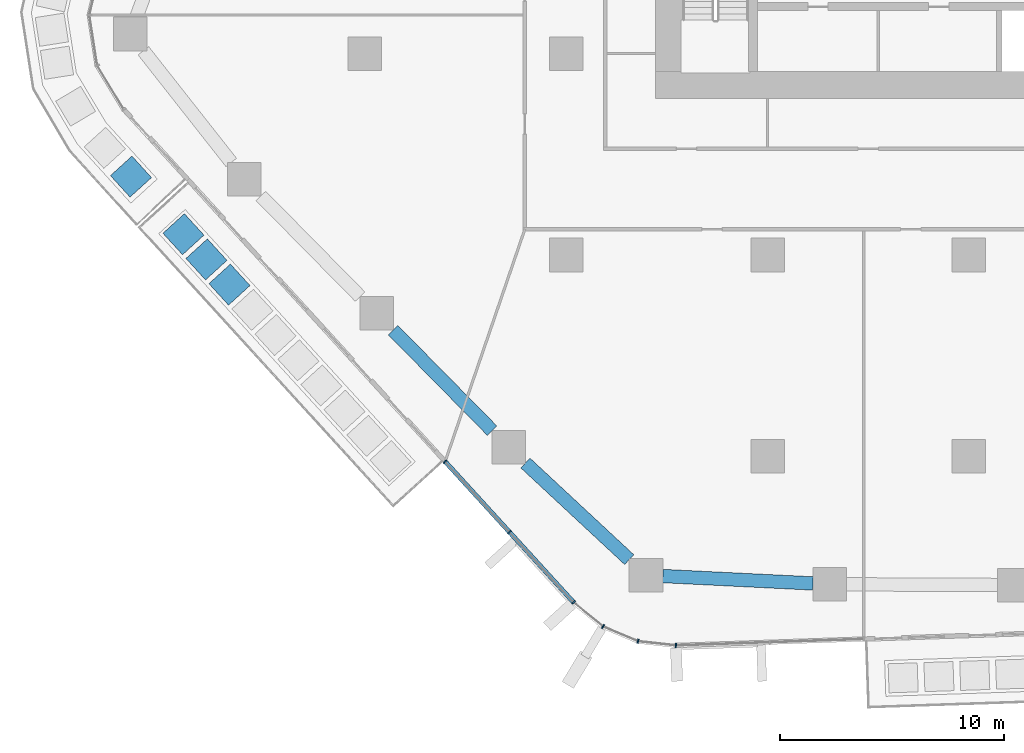
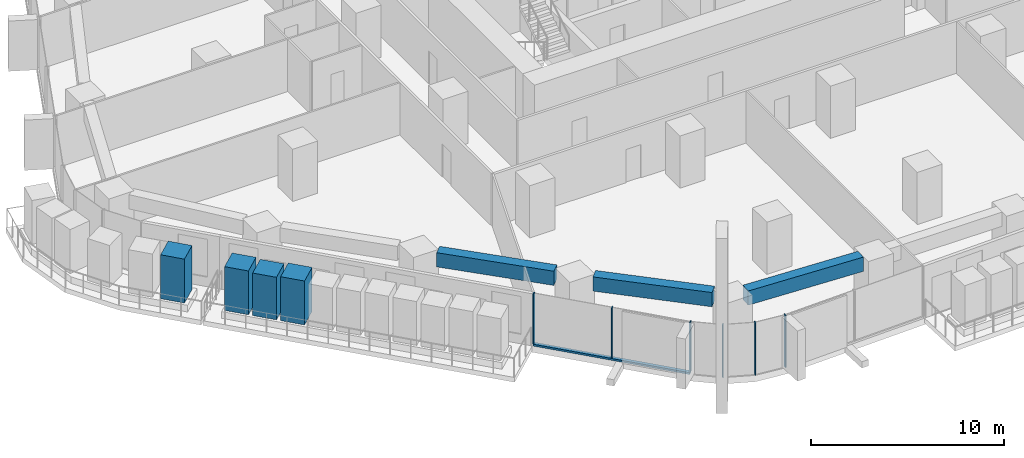
# One storey, part 2 of 26: 11 members, 3 beams, 2 elements without a shape of their own.
"""IFC4 building model written with IfcOpenShell, lengths in metres."""

from ifc_helpers import new_model, si_unit, direction, frame, origin, origin_2d, place, context, subcontext, project, spatial, rectangle, extrude, material, layer, layer_set, material_profile, profile_set, type_object, element, aggregate, save


model = new_model("IFC4")

# Units and contexts
model_context = context("Model", 3, precision=1e-05, world=origin(), true_north=direction((0.0, 1.0)))
body_context = subcontext(model_context, "Body", "Model", "MODEL_VIEW")
ifc_project = project(units=[si_unit("LENGTHUNIT", "METRE"), si_unit("AREAUNIT", "SQUARE_METRE"), si_unit("VOLUMEUNIT", "CUBIC_METRE"), si_unit("PLANEANGLEUNIT", "RADIAN"), si_unit("MASSUNIT", "GRAM", prefix="KILO")], contexts=[model_context])

# Site, building, storey
site_placement = place(None, origin())
site = spatial("IfcSite", under=ifc_project, at=site_placement, CompositionType="ELEMENT")
building_placement = place(site_placement, origin())
building = spatial("IfcBuilding", under=site, at=building_placement, Name="Dongbaek Canopy Tower", CompositionType="ELEMENT")
storey_placement = place(building_placement, frame((0.0, 0.0, 66.199951171875)))
storey = spatial("IfcBuildingStorey", under=building, at=storey_placement, Name="L12", CompositionType="ELEMENT", Elevation=66.199951171875)

# Curtain wall, members
ifc_material_1 = material(Name="Aluminium 6063-T6 pale anodised", Category="aluminium")
ifc_layer = layer(ifc_material_1, 0.199951171875)
ifc_layer_set = layer_set([ifc_layer], Name="CW-1 unitised tower curtain wall")
curtain_wall_type = type_object("IfcCurtainWallType", Name="CW-1 unitised tower curtain wall", PredefinedType="NOTDEFINED", material=ifc_layer_set)
curtain_wall_1_placement = place(storey_placement, origin())
curtain_wall_1 = element("IfcCurtainWall", 1, at=curtain_wall_1_placement, inside=storey, type_object=curtain_wall_type, Name="CW-1 curtain wall F3.1", PredefinedType="NOTDEFINED")
ifc_material_2 = material(Name="Aluminium 6063-T6 pale anodised", Category="aluminium")
ifc_material_profile_1 = material_profile(ifc_material_2, rectangle(XDim=0.199951171875, YDim=0.06005859375, at=origin_2d()), Name="CW-1 mullion 60 x 200")
ifc_profile_set_1 = profile_set([ifc_material_profile_1], Name="Aluminium 6063-T6 pale anodised")
member_type_1 = type_object("IfcMemberType", Name="CW-1 mullion 60 x 200", PredefinedType="MULLION", material=ifc_profile_set_1)
member_1_placement = place(storey_placement, frame((-23.41162109375, -27.234130859375, 0.1201171875), z_axis=(0.0, 0.0, 1.0), x_axis=(-0.738720005108, -0.674012428708, 0.0)))
member_1 = element("IfcMember", 2, at=member_1_placement, type_object=member_type_1, Name="CW-1 mullion F3.1.1", PredefinedType="MULLION", context=body_context, shape_type="SweptSolid", body=[
    extrude(rectangle(XDim=0.199951171875, YDim=0.06005859375, at=origin_2d()), origin(), (0.0, 0.0, 1.0), 3.179931640625),
])
member_2_placement = place(storey_placement, frame((-20.5380859375, -30.3837890625, 0.1201171875), z_axis=(0.0, 0.0, 1.0), x_axis=(-0.738720005108, -0.674012428708, 0.0)))
member_2 = element("IfcMember", 3, at=member_2_placement, type_object=member_type_1, Name="CW-1 mullion F3.1.2", PredefinedType="MULLION", context=body_context, shape_type="SweptSolid", body=[
    extrude(rectangle(XDim=0.199951171875, YDim=0.06005859375, at=origin_2d()), origin(), (0.0, 0.0, 1.0), 3.179931640625),
])
member_3_placement = place(storey_placement, frame((-17.669189453125, -33.52783203125, 0.1201171875), z_axis=(0.0, 0.0, 1.0), x_axis=(-0.738720005108, -0.674012428708, 0.0)))
member_3 = element("IfcMember", 4, at=member_3_placement, type_object=member_type_1, Name="CW-1 mullion F3.1.3", PredefinedType="MULLION", context=body_context, shape_type="SweptSolid", body=[
    extrude(rectangle(XDim=0.199951171875, YDim=0.06005859375, at=origin_2d()), origin(), (0.0, 0.0, 1.0), 3.179931640625),
])

curtain_wall_2_placement = place(storey_placement, origin())
curtain_wall_2 = element("IfcCurtainWall", 5, at=curtain_wall_2_placement, inside=storey, type_object=curtain_wall_type, Name="CW-1 curtain wall K4.1", PredefinedType="NOTDEFINED")
member_4_placement = place(storey_placement, frame((-16.35302734375, -34.607421875, 0.0), z_axis=(0.0, 0.0, 1.0), x_axis=(-0.516535377542, -0.856265848757, 0.0)))
member_4 = element("IfcMember", 6, at=member_4_placement, type_object=member_type_1, Name="CW-1 mullion K4.1.2", PredefinedType="MULLION", context=body_context, shape_type="SweptSolid", body=[
    extrude(rectangle(XDim=0.199951171875, YDim=0.06005859375, at=origin_2d()), origin(), (0.0, 0.0, 1.0), 3.300048828125),
])
member_5_placement = place(storey_placement, frame((-14.790771484375, -35.265380859375, 0.0), z_axis=(0.0, 0.0, 1.0), x_axis=(-0.251694061248, -0.967806850323, 0.0)))
member_5 = element("IfcMember", 7, at=member_5_placement, type_object=member_type_1, Name="CW-1 mullion K4.1.3", PredefinedType="MULLION", context=body_context, shape_type="SweptSolid", body=[
    extrude(rectangle(XDim=0.199951171875, YDim=0.06005859375, at=origin_2d()), origin(), (0.0, 0.0, 1.0), 3.300048828125),
])
member_6_placement = place(storey_placement, frame((-13.0986328125, -35.452880859375, 0.0), z_axis=(0.0, 0.0, 1.0), x_axis=(-0.110022324221, -0.993929116272, 0.0)))
member_6 = element("IfcMember", 8, at=member_6_placement, type_object=member_type_1, Name="CW-1 mullion K4.1.4", PredefinedType="MULLION", context=body_context, shape_type="SweptSolid", body=[
    extrude(rectangle(XDim=0.199951171875, YDim=0.06005859375, at=origin_2d()), origin(), (0.0, 0.0, 1.0), 3.300048828125),
])
aggregate(curtain_wall_2, [member_4, member_5, member_6])

# Member
ifc_material_3 = material(Name="Aluminium 6063-T6 pale anodised", Category="aluminium")
ifc_material_profile_2 = material_profile(ifc_material_3, rectangle(XDim=0.199951171875, YDim=0.1201171875, at=origin_2d()), Name="CW-1 transom 120 x 200")
ifc_profile_set_2 = profile_set([ifc_material_profile_2], Name="Aluminium 6063-T6 pale anodised")
member_type_2 = type_object("IfcMemberType", Name="CW-1 transom 120 x 200", PredefinedType="USERDEFINED", material=ifc_profile_set_2)
member_7_placement = place(storey_placement, frame((-23.41162109375, -27.234130859375, 0.06005859375), z_axis=(0.674013843629, -0.738718714124, 0.0), x_axis=(0.738718714124, 0.674013843629, 0.0)))
member_7 = element("IfcMember", 9, at=member_7_placement, type_object=member_type_2, Name="CW-1 transom F3.1.1", ObjectType="TRANSOM", PredefinedType="USERDEFINED", context=body_context, shape_type="SweptSolid", body=[
    extrude(rectangle(XDim=0.199951171875, YDim=0.1201171875, at=origin_2d()), origin(), (0.0, 0.0, 1.0), 8.519775390625),
])

aggregate(curtain_wall_1, [member_1, member_2, member_3, member_7])

# Beams
ifc_material_4 = material(Name="Concrete C80", Category="concrete")
ifc_material_profile_3 = material_profile(ifc_material_4, rectangle(XDim=0.60009765625, YDim=0.89990234375, at=origin_2d()), Name="RC EDGE BEAM 600x900 C80")
ifc_profile_set_3 = profile_set([ifc_material_profile_3], Name="Concrete C80")
beam_type = type_object("IfcBeamType", Name="RC EDGE BEAM 600x900 C80", PredefinedType="BEAM", material=ifc_profile_set_3)
beam_1_placement = place(storey_placement, frame((-6.971923828125, -32.68017578125, 2.85009765625), z_axis=(-0.998791258722, 0.049153041612, 0.0), x_axis=(-0.049153041612, -0.998791258722, 0.0)))
element("IfcBeam", 10, at=beam_1_placement, inside=storey, type_object=beam_type, Name="EDGEBEAM:L12:03", PredefinedType="BEAM", context=body_context, shape_type="SweptSolid", body=[
    extrude(rectangle(XDim=0.60009765625, YDim=0.89990234375, at=origin_2d()), origin(), (0.0, 0.0, 1.0), 6.72021484375),
])
beam_2_placement = place(storey_placement, frame((-15.18408203125, -31.615478515625, 2.85009765625), z_axis=(-0.732207291567, 0.681081846899, 0.0), x_axis=(-0.681081846899, -0.732207291567, 0.0)))
element("IfcBeam", 11, at=beam_2_placement, inside=storey, type_object=beam_type, Name="EDGEBEAM:L12:04", PredefinedType="BEAM", context=body_context, shape_type="SweptSolid", body=[
    extrude(rectangle(XDim=0.60009765625, YDim=0.89990234375, at=origin_2d()), origin(), (0.0, 0.0, 1.0), 6.3369140625),
])
beam_3_placement = place(storey_placement, frame((-21.312744140625, -25.85205078125, 2.85009765625), z_axis=(-0.701726082417, 0.712446843811, 0.0), x_axis=(-0.712446843811, -0.701726082417, 0.0)))
element("IfcBeam", 12, at=beam_3_placement, inside=storey, type_object=beam_type, Name="EDGEBEAM:L12:05", PredefinedType="BEAM", context=body_context, shape_type="SweptSolid", body=[
    extrude(rectangle(XDim=0.60009765625, YDim=0.89990234375, at=origin_2d()), origin(), (0.0, 0.0, 1.0), 6.30810546875),
])

# Members
ifc_material_5 = material(Name="Concrete C40/50 planter mass with planting", Category="concrete")
ifc_material_profile_4 = material_profile(ifc_material_5, rectangle(XDim=1.300048828125, YDim=1.300048828125, at=origin_2d()), Name="Terrace PLANTER shrub mass 1300 x 1300")
ifc_profile_set_4 = profile_set([ifc_material_profile_4], Name="Concrete C40/50 planter mass with planting")
member_type_3 = type_object("IfcMemberType", Name="Terrace PLANTER shrub mass 1300 x 1300", PredefinedType="USERDEFINED", material=ifc_profile_set_4)
member_8_placement = place(storey_placement, frame((-35.107421875, -17.0712890625, 0.420166015625), z_axis=(0.0, 0.0, 1.0), x_axis=(-0.738720005108, -0.674012428708, 0.0)))
element("IfcMember", 13, at=member_8_placement, inside=storey, type_object=member_type_3, Name="Planter shrubs L12 3.1", ObjectType="PLANTER", PredefinedType="USERDEFINED", context=body_context, shape_type="SweptSolid", body=[
    extrude(rectangle(XDim=1.300048828125, YDim=1.300048828125, at=origin_2d()), origin(), (0.0, 0.0, 1.0), 2.769775390625),
])
member_9_placement = place(storey_placement, frame((-34.079345703125, -18.197998046875, 0.420166015625), z_axis=(0.0, 0.0, 1.0), x_axis=(-0.738720005108, -0.674012428708, 0.0)))
element("IfcMember", 14, at=member_9_placement, inside=storey, type_object=member_type_3, Name="Planter shrubs L12 3.2", ObjectType="PLANTER", PredefinedType="USERDEFINED", context=body_context, shape_type="SweptSolid", body=[
    extrude(rectangle(XDim=1.300048828125, YDim=1.300048828125, at=origin_2d()), origin(), (0.0, 0.0, 1.0), 2.68994140625),
])
for number, where, z_axis, x_axis, name in (
    (15, (-33.05126953125, -19.32470703125, 0.420166015625), (0.0, 0.0, 1.0), (-0.738720005108, -0.674012428708, 0.0), "Planter shrubs L12 3.3"),
    (16, (-37.453125, -14.49755859375, 0.420166015625), (0.0, 0.0, 1.0), (-0.740275867096, -0.672303235598, 0.0), "Planter shrubs L12 7.6"),
):
    element("IfcMember", number, at=place(storey_placement, frame(where, z_axis=z_axis, x_axis=x_axis)), inside=storey, type_object=member_type_3, Name=name, ObjectType="PLANTER", PredefinedType="USERDEFINED", context=body_context, shape_type="SweptSolid", body=[
        extrude(rectangle(XDim=1.300048828125, YDim=1.300048828125, at=origin_2d()), origin(), (0.0, 0.0, 1.0), 2.77978515625),
    ])

save(model, "model.ifc")
